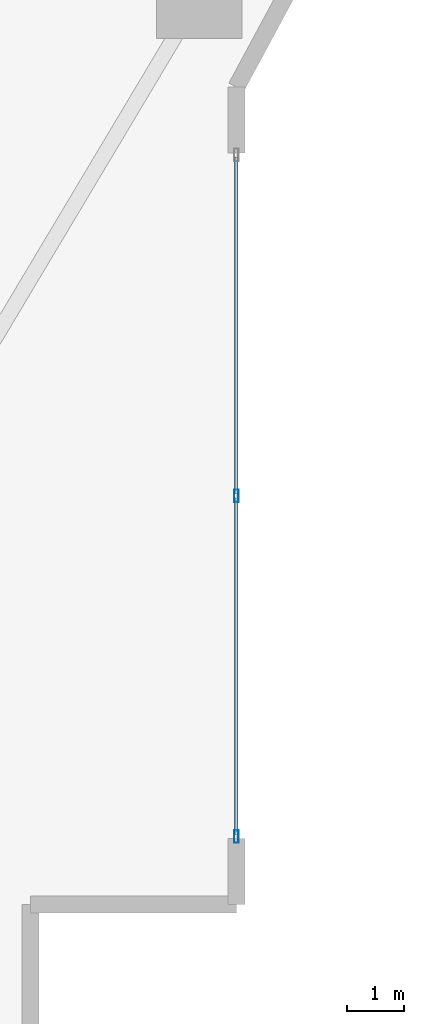
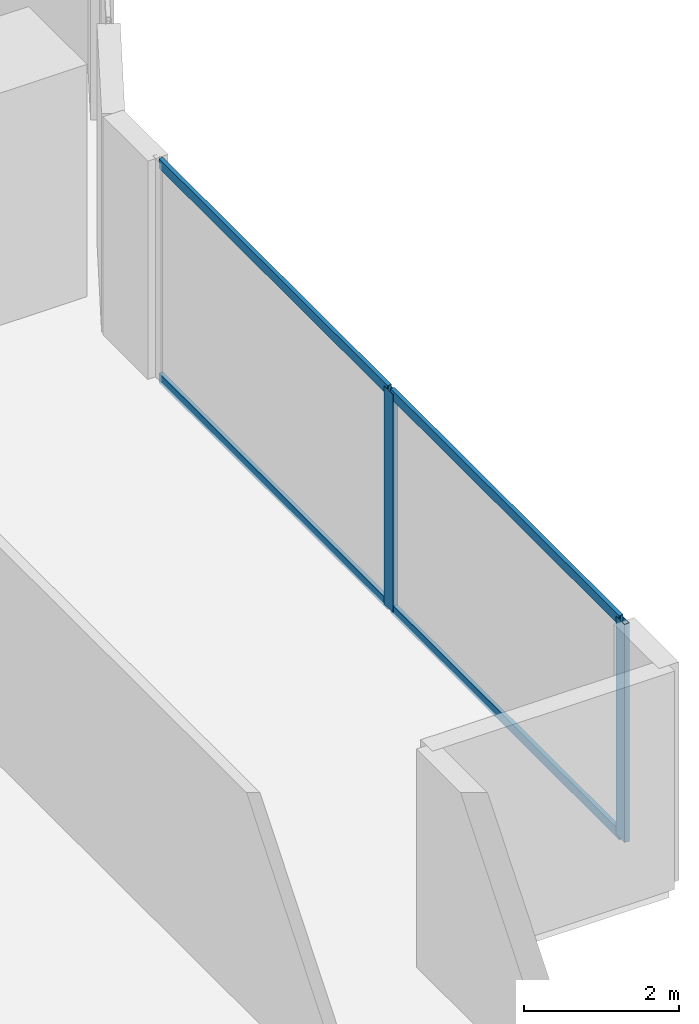
# One storey, part 10 of 29: 6 members, 1 element without a shape of its own.
"""IFC4 building model written with IfcOpenShell, lengths in metres."""

from ifc_helpers import new_model, si_unit, direction, frame, origin, origin_2d, place, context, subcontext, project, spatial, hollow_rectangle, extrude, material, layer, layer_set, material_profile, profile_set, type_object, element, aggregate, save


model = new_model("IFC4")

# Units and contexts
model_context = context("Model", 3, precision=1e-05, world=origin(), true_north=direction((0.0, 1.0)))
body_context = subcontext(model_context, "Body", "Model", "MODEL_VIEW")
ifc_project = project(units=[si_unit("LENGTHUNIT", "METRE"), si_unit("AREAUNIT", "SQUARE_METRE"), si_unit("VOLUMEUNIT", "CUBIC_METRE"), si_unit("PLANEANGLEUNIT", "RADIAN"), si_unit("MASSUNIT", "GRAM", prefix="KILO")], contexts=[model_context])

# Site, building, storey
site_placement = place(None, origin())
site = spatial("IfcSite", under=ifc_project, at=site_placement, CompositionType="ELEMENT")
building_placement = place(site_placement, origin())
building = spatial("IfcBuilding", under=site, at=building_placement, Name="Zuhayl Quay Hotel", CompositionType="ELEMENT")
storey_placement = place(building_placement, frame((0.0, 0.0, 64.10009765625)))
storey = spatial("IfcBuildingStorey", under=building, at=storey_placement, Name="L15", CompositionType="ELEMENT", Elevation=64.10009765625)

# Curtain wall, members
ifc_material_1 = material(Name="Anodised Aluminium 6063-T6", Category="aluminium")
ifc_layer = layer(ifc_material_1, 0.18994140625, Name="Anodised Aluminium 6063-T6", Category="aluminium")
ifc_layer_set = layer_set([ifc_layer], Name="Anodised Aluminium 6063-T6")
curtain_wall_type = type_object("IfcCurtainWallType", Name="CW_SYS_Z1", PredefinedType="USERDEFINED", material=ifc_layer_set)
curtain_wall_placement = place(storey_placement, origin())
curtain_wall = element("IfcCurtainWall", 1, at=curtain_wall_placement, inside=storey, type_object=curtain_wall_type, Name="L15 Curtain Wall ENV_L15_E14_CW1", ObjectType="UNITISED CURTAIN WALL", PredefinedType="USERDEFINED")
ifc_material_2 = material(Name="Black-anodised aluminium 6063-T6", Category="aluminium")
ifc_material_profile_1 = material_profile(ifc_material_2, hollow_rectangle(XDim=0.074951171875, YDim=0.219970703125, WallThickness=0.00390625, at=origin_2d()), Name="ALU220X75")
ifc_profile_set_1 = profile_set([ifc_material_profile_1], Name="Black-anodised aluminium 6063-T6")
member_type_1 = type_object("IfcMemberType", Name="MB_CW_MUL_220", PredefinedType="MULLION", material=ifc_profile_set_1)
member_1_placement = place(storey_placement, frame((25.699951171875, -12.35009765625, 0.0), z_axis=(0.0, 0.0, 1.0), x_axis=(1.0, 0.0, 0.0)))
member_1 = element("IfcMember", 2, at=member_1_placement, type_object=member_type_1, Name="CW-Z1 mullion 2", PredefinedType="MULLION", context=body_context, shape_type="SweptSolid", body=[
    extrude(hollow_rectangle(XDim=0.074951171875, YDim=0.219970703125, WallThickness=0.00390625, at=origin_2d()), origin(), (0.0, 0.0, 1.0), 3.429931640625),
])
member_2_placement = place(storey_placement, frame((25.699951171875, -18.3125, 0.0), z_axis=(0.0, 0.0, 1.0), x_axis=(1.0, 0.0, 0.0)))
member_2 = element("IfcMember", 3, at=member_2_placement, type_object=member_type_1, Name="CW-Z1 mullion 3", PredefinedType="MULLION", context=body_context, shape_type="SweptSolid", body=[
    extrude(hollow_rectangle(XDim=0.074951171875, YDim=0.219970703125, WallThickness=0.00390625, at=origin_2d()), origin(), (0.0, 0.0, 1.0), 3.429931640625),
])
ifc_material_profile_2 = material_profile(ifc_material_2, hollow_rectangle(XDim=0.06005859375, YDim=0.14990234375, WallThickness=0.00341796875, at=origin_2d()), Name="ALU150X60")
ifc_profile_set_2 = profile_set([ifc_material_profile_2], Name="Black-anodised aluminium 6063-T6")
member_type_2 = type_object("IfcMemberType", Name="MB_CW_TRN_150", PredefinedType="USERDEFINED", material=ifc_profile_set_2)
member_3_placement = place(storey_placement, frame((25.699951171875, -6.425048828125, 0.02978515625), z_axis=(0.0, -1.0, 0.0), x_axis=(1.0, 0.0, 0.0)))
member_3 = element("IfcMember", 4, at=member_3_placement, type_object=member_type_2, Name="CW-Z1 transom 1.1", ObjectType="TRANSOM", PredefinedType="USERDEFINED", context=body_context, shape_type="SweptSolid", body=[
    extrude(hollow_rectangle(XDim=0.06005859375, YDim=0.14990234375, WallThickness=0.00341796875, at=origin_2d()), origin(), (0.0, 0.0, 1.0), 5.887451171875),
])
member_4_placement = place(storey_placement, frame((25.699951171875, -6.425048828125, 3.39990234375), z_axis=(0.0, -1.0, 0.0), x_axis=(1.0, 0.0, 0.0)))
member_4 = element("IfcMember", 5, at=member_4_placement, type_object=member_type_2, Name="CW-Z1 transom 1.2", ObjectType="TRANSOM", PredefinedType="USERDEFINED", context=body_context, shape_type="SweptSolid", body=[
    extrude(hollow_rectangle(XDim=0.06005859375, YDim=0.14990234375, WallThickness=0.00341796875, at=origin_2d()), origin(), (0.0, 0.0, 1.0), 5.887451171875),
])
member_5_placement = place(storey_placement, frame((25.699951171875, -12.387451171875, 0.02978515625), z_axis=(0.0, -1.0, 0.0), x_axis=(1.0, 0.0, 0.0)))
member_5 = element("IfcMember", 6, at=member_5_placement, type_object=member_type_2, Name="CW-Z1 transom 2.1", ObjectType="TRANSOM", PredefinedType="USERDEFINED", context=body_context, shape_type="SweptSolid", body=[
    extrude(hollow_rectangle(XDim=0.06005859375, YDim=0.14990234375, WallThickness=0.00341796875, at=origin_2d()), origin(), (0.0, 0.0, 1.0), 5.887451171875),
])
member_6_placement = place(storey_placement, frame((25.699951171875, -12.387451171875, 3.39990234375), z_axis=(0.0, -1.0, 0.0), x_axis=(1.0, 0.0, 0.0)))
member_6 = element("IfcMember", 7, at=member_6_placement, type_object=member_type_2, Name="CW-Z1 transom 2.2", ObjectType="TRANSOM", PredefinedType="USERDEFINED", context=body_context, shape_type="SweptSolid", body=[
    extrude(hollow_rectangle(XDim=0.06005859375, YDim=0.14990234375, WallThickness=0.00341796875, at=origin_2d()), origin(), (0.0, 0.0, 1.0), 5.887451171875),
])
aggregate(curtain_wall, [member_1, member_2, member_3, member_4, member_5, member_6])

save(model, "model.ifc")
